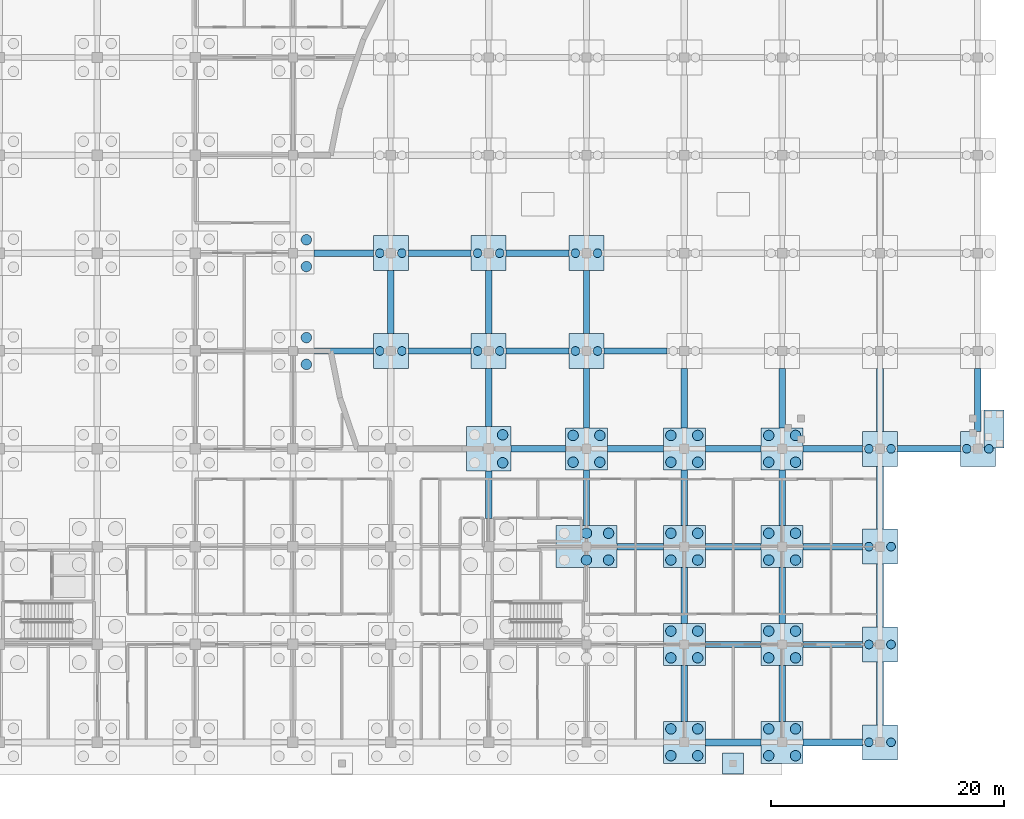
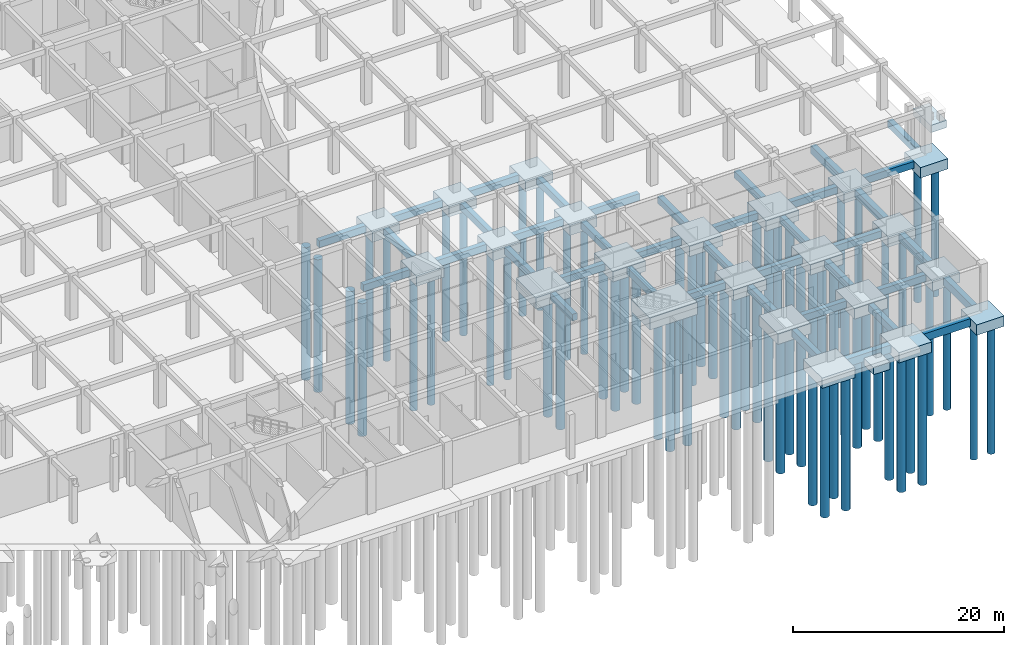
# One storey, part 13 of 65: 68 piles, 63 footings.
"""IFC4 building model written with IfcOpenShell, lengths in metres."""

from ifc_helpers import new_model, si_unit, direction, frame, origin, origin_2d, place, context, subcontext, project, spatial, rectangle, circle, extrude, material, material_profile, profile_set, type_object, element, save


model = new_model("IFC4")

# Units and contexts
model_context = context("Model", 3, precision=1e-05, world=origin(), true_north=direction((0.0, 1.0)))
body_context = subcontext(model_context, "Body", "Model", "MODEL_VIEW")
ifc_project = project(units=[si_unit("LENGTHUNIT", "METRE"), si_unit("AREAUNIT", "SQUARE_METRE"), si_unit("VOLUMEUNIT", "CUBIC_METRE"), si_unit("PLANEANGLEUNIT", "RADIAN"), si_unit("MASSUNIT", "GRAM", prefix="KILO")], contexts=[model_context])

# Site, building, storey
site_placement = place(None, origin())
site = spatial("IfcSite", under=ifc_project, at=site_placement, CompositionType="ELEMENT")
building_placement = place(site_placement, origin())
building = spatial("IfcBuilding", under=site, at=building_placement, Name="Bramfleet General Hospital", CompositionType="ELEMENT")
storey_placement = place(building_placement, frame((0.0, 0.0, -5.39990234375)))
storey = spatial("IfcBuildingStorey", under=building, at=storey_placement, Name="B1", CompositionType="ELEMENT", Elevation=-5.39990234375)

# Footings
ifc_material = material(Name="Concrete C35/45", Category="concrete")
ifc_material_profile_1 = material_profile(ifc_material, rectangle(XDim=0.550048828125, YDim=0.800048828125, at=origin_2d()), Name="RC FB 800x550")
ifc_profile_set_1 = profile_set([ifc_material_profile_1], Name="Concrete C35/45")
footing_type_1 = type_object("IfcFootingType", Name="FTG-FB-01", PredefinedType="FOOTING_BEAM", material=ifc_profile_set_1)
for number, where, z_axis, x_axis, name in (
    (1, (127.800048828125, 33.60009765625, -0.900146484375), (1.0, 0.0, 0.0), (0.0, 1.0, 0.0), "Foundation Tie Beam X 15-04"),
    (2, (127.800048828125, 42.0, -0.900146484375), (1.0, 0.0, 0.0), (0.0, 1.0, 0.0), "Foundation Tie Beam X 15-05"),
):
    element("IfcFooting", number, at=place(storey_placement, frame(where, z_axis=z_axis, x_axis=x_axis)), inside=storey, type_object=footing_type_1, Name=name, PredefinedType="FOOTING_BEAM", context=body_context, shape_type="SweptSolid", body=[
        extrude(rectangle(XDim=0.550048828125, YDim=0.800048828125, at=origin_2d()), origin(), (0.0, 0.0, 1.0), 5.099853515625),
    ])
footing_1_placement = place(storey_placement, frame((135.89990234375, 33.60009765625, -0.900146484375), z_axis=(1.0, 0.0, 0.0), x_axis=(0.0, 1.0, 0.0)))
element("IfcFooting", 3, at=footing_1_placement, inside=storey, type_object=footing_type_1, Name="Foundation Tie Beam X 16-04", PredefinedType="FOOTING_BEAM", context=body_context, shape_type="SweptSolid", body=[
    extrude(rectangle(XDim=0.550048828125, YDim=0.800048828125, at=origin_2d()), origin(), (0.0, 0.0, 1.0), 5.400146484375),
])
footing_2_placement = place(storey_placement, frame((134.39990234375, 35.10009765625, -0.900146484375), z_axis=(0.0, 1.0, 0.0), x_axis=(-1.0, 0.0, 0.0)))
element("IfcFooting", 4, at=footing_2_placement, inside=storey, type_object=footing_type_1, Name="Foundation Tie Beam Y 16-04", PredefinedType="FOOTING_BEAM", context=body_context, shape_type="SweptSolid", body=[
    extrude(rectangle(XDim=0.550048828125, YDim=0.800048828125, at=origin_2d()), origin(), (0.0, 0.0, 1.0), 5.39990234375),
])
footing_3_placement = place(storey_placement, frame((135.89990234375, 42.0, -0.900146484375), z_axis=(1.0, 0.0, 0.0), x_axis=(0.0, 1.0, 0.0)))
element("IfcFooting", 5, at=footing_3_placement, inside=storey, type_object=footing_type_1, Name="Foundation Tie Beam X 16-05", PredefinedType="FOOTING_BEAM", context=body_context, shape_type="SweptSolid", body=[
    extrude(rectangle(XDim=0.550048828125, YDim=0.800048828125, at=origin_2d()), origin(), (0.0, 0.0, 1.0), 5.400146484375),
])
footing_4_placement = place(storey_placement, frame((142.800048828125, 19.199951171875, -0.900146484375), z_axis=(0.0, 1.0, 0.0), x_axis=(-1.0, 0.0, 0.0)))
element("IfcFooting", 6, at=footing_4_placement, inside=storey, type_object=footing_type_1, Name="Foundation Tie Beam Y 17-02", PredefinedType="FOOTING_BEAM", context=body_context, shape_type="SweptSolid", body=[
    extrude(rectangle(XDim=0.550048828125, YDim=0.800048828125, at=origin_2d()), origin(), (0.0, 0.0, 1.0), 4.10009765625),
])
footing_5_placement = place(storey_placement, frame((144.699951171875, 25.199951171875, -0.900146484375), z_axis=(1.0, 0.0, 0.0), x_axis=(0.0, 1.0, 0.0)))
element("IfcFooting", 7, at=footing_5_placement, inside=storey, type_object=footing_type_1, Name="Foundation Tie Beam X 17-03", PredefinedType="FOOTING_BEAM", context=body_context, shape_type="SweptSolid", body=[
    extrude(rectangle(XDim=0.550048828125, YDim=0.800048828125, at=origin_2d()), origin(), (0.0, 0.0, 1.0), 4.699951171875),
])
footing_6_placement = place(storey_placement, frame((142.800048828125, 27.10009765625, -0.900146484375), z_axis=(0.0, 1.0, 0.0), x_axis=(-1.0, 0.0, 0.0)))
element("IfcFooting", 8, at=footing_6_placement, inside=storey, type_object=footing_type_1, Name="Foundation Tie Beam Y 17-03", PredefinedType="FOOTING_BEAM", context=body_context, shape_type="SweptSolid", body=[
    extrude(rectangle(XDim=0.550048828125, YDim=0.800048828125, at=origin_2d()), origin(), (0.0, 0.0, 1.0), 5.0),
])
for number, where, z_axis, x_axis, name in (
    (9, (144.300048828125, 33.60009765625, -0.900146484375), (1.0, 0.0, 0.0), (0.0, 1.0, 0.0), "Foundation Tie Beam X 17-04"),
    (10, (142.800048828125, 35.10009765625, -0.900146484375), (0.0, 1.0, 0.0), (-1.0, 0.0, 0.0), "Foundation Tie Beam Y 17-04"),
    (11, (144.300048828125, 42.0, -0.900146484375), (1.0, 0.0, 0.0), (0.0, 1.0, 0.0), "Foundation Tie Beam X 17-05"),
):
    element("IfcFooting", number, at=place(storey_placement, frame(where, z_axis=z_axis, x_axis=x_axis)), inside=storey, type_object=footing_type_1, Name=name, PredefinedType="FOOTING_BEAM", context=body_context, shape_type="SweptSolid", body=[
        extrude(rectangle(XDim=0.550048828125, YDim=0.800048828125, at=origin_2d()), origin(), (0.0, 0.0, 1.0), 5.39990234375),
    ])
footing_7_placement = place(storey_placement, frame((153.800048828125, 16.800048828125, -0.900146484375), z_axis=(1.0, 0.0, 0.0), x_axis=(0.0, 1.0, 0.0)))
element("IfcFooting", 12, at=footing_7_placement, inside=storey, type_object=footing_type_1, Name="Foundation Tie Beam X 18-02", PredefinedType="FOOTING_BEAM", context=body_context, shape_type="SweptSolid", body=[
    extrude(rectangle(XDim=0.550048828125, YDim=0.800048828125, at=origin_2d()), origin(), (0.0, 0.0, 1.0), 4.0),
])
footing_8_placement = place(storey_placement, frame((151.199951171875, 18.60009765625, -0.900146484375), z_axis=(0.0, 1.0, 0.0), x_axis=(-1.0, 0.0, 0.0)))
element("IfcFooting", 13, at=footing_8_placement, inside=storey, type_object=footing_type_1, Name="Foundation Tie Beam Y 18-02", PredefinedType="FOOTING_BEAM", context=body_context, shape_type="SweptSolid", body=[
    extrude(rectangle(XDim=0.550048828125, YDim=0.800048828125, at=origin_2d()), origin(), (0.0, 0.0, 1.0), 4.7998046875),
])
footing_9_placement = place(storey_placement, frame((153.0, 25.199951171875, -0.900146484375), z_axis=(1.0, 0.0, 0.0), x_axis=(0.0, 1.0, 0.0)))
element("IfcFooting", 14, at=footing_9_placement, inside=storey, type_object=footing_type_1, Name="Foundation Tie Beam X 18-03", PredefinedType="FOOTING_BEAM", context=body_context, shape_type="SweptSolid", body=[
    extrude(rectangle(XDim=0.550048828125, YDim=0.800048828125, at=origin_2d()), origin(), (0.0, 0.0, 1.0), 4.800048828125),
])
footing_10_placement = place(storey_placement, frame((151.199951171875, 27.0, -0.900146484375), z_axis=(0.0, 1.0, 0.0), x_axis=(-1.0, 0.0, 0.0)))
element("IfcFooting", 15, at=footing_10_placement, inside=storey, type_object=footing_type_1, Name="Foundation Tie Beam Y 18-03", PredefinedType="FOOTING_BEAM", context=body_context, shape_type="SweptSolid", body=[
    extrude(rectangle(XDim=0.550048828125, YDim=0.800048828125, at=origin_2d()), origin(), (0.0, 0.0, 1.0), 5.10009765625),
])
footing_11_placement = place(storey_placement, frame((152.699951171875, 33.60009765625, -0.900146484375), z_axis=(1.0, 0.0, 0.0), x_axis=(0.0, 1.0, 0.0)))
element("IfcFooting", 16, at=footing_11_placement, inside=storey, type_object=footing_type_1, Name="Foundation Tie Beam X 18-04", PredefinedType="FOOTING_BEAM", context=body_context, shape_type="SweptSolid", body=[
    extrude(rectangle(XDim=0.550048828125, YDim=0.800048828125, at=origin_2d()), origin(), (0.0, 0.0, 1.0), 5.400146484375),
])
footing_12_placement = place(storey_placement, frame((151.199951171875, 35.10009765625, -0.900146484375), z_axis=(0.0, 1.0, 0.0), x_axis=(-1.0, 0.0, 0.0)))
element("IfcFooting", 17, at=footing_12_placement, inside=storey, type_object=footing_type_1, Name="Foundation Tie Beam Y 18-04", PredefinedType="FOOTING_BEAM", context=body_context, shape_type="SweptSolid", body=[
    extrude(rectangle(XDim=0.550048828125, YDim=0.800048828125, at=origin_2d()), origin(), (0.0, 0.0, 1.0), 5.39990234375),
])
for number, where, z_axis, x_axis, name in (
    (18, (159.60009765625, 1.800048828125, -0.900146484375), (0.0, 1.0, 0.0), (-1.0, 0.0, 0.0), "Foundation Tie Beam Y 19-00"),
    (19, (161.39990234375, 8.39990234375, -0.900146484375), (1.0, 0.0, 0.0), (0.0, 1.0, 0.0), "Foundation Tie Beam X 19-01"),
    (20, (159.60009765625, 10.199951171875, -0.900146484375), (0.0, 1.0, 0.0), (-1.0, 0.0, 0.0), "Foundation Tie Beam Y 19-01"),
    (21, (161.39990234375, 16.800048828125, -0.900146484375), (1.0, 0.0, 0.0), (0.0, 1.0, 0.0), "Foundation Tie Beam X 19-02"),
):
    element("IfcFooting", number, at=place(storey_placement, frame(where, z_axis=z_axis, x_axis=x_axis)), inside=storey, type_object=footing_type_1, Name=name, PredefinedType="FOOTING_BEAM", context=body_context, shape_type="SweptSolid", body=[
        extrude(rectangle(XDim=0.550048828125, YDim=0.800048828125, at=origin_2d()), origin(), (0.0, 0.0, 1.0), 4.800048828125),
    ])
footing_13_placement = place(storey_placement, frame((159.60009765625, 18.60009765625, -0.900146484375), z_axis=(0.0, 1.0, 0.0), x_axis=(-1.0, 0.0, 0.0)))
element("IfcFooting", 22, at=footing_13_placement, inside=storey, type_object=footing_type_1, Name="Foundation Tie Beam Y 19-02", PredefinedType="FOOTING_BEAM", context=body_context, shape_type="SweptSolid", body=[
    extrude(rectangle(XDim=0.550048828125, YDim=0.800048828125, at=origin_2d()), origin(), (0.0, 0.0, 1.0), 4.7998046875),
])
footing_14_placement = place(storey_placement, frame((161.39990234375, 25.199951171875, -0.900146484375), z_axis=(1.0, 0.0, 0.0), x_axis=(0.0, 1.0, 0.0)))
element("IfcFooting", 23, at=footing_14_placement, inside=storey, type_object=footing_type_1, Name="Foundation Tie Beam X 19-03", PredefinedType="FOOTING_BEAM", context=body_context, shape_type="SweptSolid", body=[
    extrude(rectangle(XDim=0.550048828125, YDim=0.800048828125, at=origin_2d()), origin(), (0.0, 0.0, 1.0), 4.800048828125),
])
footing_15_placement = place(storey_placement, frame((159.60009765625, 27.0, -0.900146484375), z_axis=(0.0, 1.0, 0.0), x_axis=(-1.0, 0.0, 0.0)))
element("IfcFooting", 24, at=footing_15_placement, inside=storey, type_object=footing_type_1, Name="Foundation Tie Beam Y 19-03", PredefinedType="FOOTING_BEAM", context=body_context, shape_type="SweptSolid", body=[
    extrude(rectangle(XDim=0.550048828125, YDim=0.800048828125, at=origin_2d()), origin(), (0.0, 0.0, 1.0), 5.10009765625),
])
footing_16_placement = place(storey_placement, frame((168.0, 1.800048828125, -0.900146484375), z_axis=(0.0, 1.0, 0.0), x_axis=(-1.0, 0.0, 0.0)))
element("IfcFooting", 25, at=footing_16_placement, inside=storey, type_object=footing_type_1, Name="Foundation Tie Beam Y 20-00", PredefinedType="FOOTING_BEAM", context=body_context, shape_type="SweptSolid", body=[
    extrude(rectangle(XDim=0.550048828125, YDim=0.800048828125, at=origin_2d()), origin(), (0.0, 0.0, 1.0), 4.800048828125),
])
footing_17_placement = place(storey_placement, frame((169.800048828125, 8.39990234375, -0.900146484375), z_axis=(1.0, 0.0, 0.0), x_axis=(0.0, 1.0, 0.0)))
element("IfcFooting", 26, at=footing_17_placement, inside=storey, type_object=footing_type_1, Name="Foundation Tie Beam X 20-01", PredefinedType="FOOTING_BEAM", context=body_context, shape_type="SweptSolid", body=[
    extrude(rectangle(XDim=0.550048828125, YDim=0.800048828125, at=origin_2d()), origin(), (0.0, 0.0, 1.0), 5.099853515625),
])
footing_18_placement = place(storey_placement, frame((168.0, 10.199951171875, -0.900146484375), z_axis=(0.0, 1.0, 0.0), x_axis=(-1.0, 0.0, 0.0)))
element("IfcFooting", 27, at=footing_18_placement, inside=storey, type_object=footing_type_1, Name="Foundation Tie Beam Y 20-01", PredefinedType="FOOTING_BEAM", context=body_context, shape_type="SweptSolid", body=[
    extrude(rectangle(XDim=0.550048828125, YDim=0.800048828125, at=origin_2d()), origin(), (0.0, 0.0, 1.0), 4.800048828125),
])
footing_19_placement = place(storey_placement, frame((169.800048828125, 16.800048828125, -0.900146484375), z_axis=(1.0, 0.0, 0.0), x_axis=(0.0, 1.0, 0.0)))
element("IfcFooting", 28, at=footing_19_placement, inside=storey, type_object=footing_type_1, Name="Foundation Tie Beam X 20-02", PredefinedType="FOOTING_BEAM", context=body_context, shape_type="SweptSolid", body=[
    extrude(rectangle(XDim=0.550048828125, YDim=0.800048828125, at=origin_2d()), origin(), (0.0, 0.0, 1.0), 5.099853515625),
])
footing_20_placement = place(storey_placement, frame((168.0, 18.60009765625, -0.900146484375), z_axis=(0.0, 1.0, 0.0), x_axis=(-1.0, 0.0, 0.0)))
element("IfcFooting", 29, at=footing_20_placement, inside=storey, type_object=footing_type_1, Name="Foundation Tie Beam Y 20-02", PredefinedType="FOOTING_BEAM", context=body_context, shape_type="SweptSolid", body=[
    extrude(rectangle(XDim=0.550048828125, YDim=0.800048828125, at=origin_2d()), origin(), (0.0, 0.0, 1.0), 4.7998046875),
])
footing_21_placement = place(storey_placement, frame((169.800048828125, 25.199951171875, -0.900146484375), z_axis=(1.0, 0.0, 0.0), x_axis=(0.0, 1.0, 0.0)))
element("IfcFooting", 30, at=footing_21_placement, inside=storey, type_object=footing_type_1, Name="Foundation Tie Beam X 20-03", PredefinedType="FOOTING_BEAM", context=body_context, shape_type="SweptSolid", body=[
    extrude(rectangle(XDim=0.550048828125, YDim=0.800048828125, at=origin_2d()), origin(), (0.0, 0.0, 1.0), 5.099853515625),
])
footing_22_placement = place(storey_placement, frame((168.0, 27.0, -0.900146484375), z_axis=(0.0, 1.0, 0.0), x_axis=(-1.0, 0.0, 0.0)))
element("IfcFooting", 31, at=footing_22_placement, inside=storey, type_object=footing_type_1, Name="Foundation Tie Beam Y 20-03", PredefinedType="FOOTING_BEAM", context=body_context, shape_type="SweptSolid", body=[
    extrude(rectangle(XDim=0.550048828125, YDim=0.800048828125, at=origin_2d()), origin(), (0.0, 0.0, 1.0), 5.10009765625),
])
for number, where, z_axis, x_axis, name in (
    (32, (177.89990234375, 25.199951171875, -0.900146484375), (1.0, 0.0, 0.0), (0.0, 1.0, 0.0), "Foundation Tie Beam X 21-03"),
    (33, (184.800048828125, 26.699951171875, -0.900146484375), (0.0, 1.0, 0.0), (-1.0, 0.0, 0.0), "Foundation Tie Beam Y 22-03"),
):
    element("IfcFooting", number, at=place(storey_placement, frame(where, z_axis=z_axis, x_axis=x_axis)), inside=storey, type_object=footing_type_1, Name=name, PredefinedType="FOOTING_BEAM", context=body_context, shape_type="SweptSolid", body=[
        extrude(rectangle(XDim=0.550048828125, YDim=0.800048828125, at=origin_2d()), origin(), (0.0, 0.0, 1.0), 5.400146484375),
    ])
ifc_material_profile_2 = material_profile(ifc_material, rectangle(XDim=0.60009765625, YDim=0.89990234375, at=origin_2d()), Name="RC FB 900x600")
ifc_profile_set_2 = profile_set([ifc_material_profile_2], Name="Concrete C35/45")
footing_type_2 = type_object("IfcFootingType", Name="FTG-FB-02", PredefinedType="FOOTING_BEAM", material=ifc_profile_set_2)
footing_23_placement = place(storey_placement, frame((161.39990234375, 0.0, -0.9501953125), z_axis=(1.0, 0.0, 0.0), x_axis=(0.0, 1.0, 0.0)))
element("IfcFooting", 34, at=footing_23_placement, inside=storey, type_object=footing_type_2, Name="Foundation Tie Beam X 19-00", PredefinedType="FOOTING_BEAM", context=body_context, shape_type="SweptSolid", body=[
    extrude(rectangle(XDim=0.60009765625, YDim=0.89990234375, at=origin_2d()), origin(), (0.0, 0.0, 1.0), 4.800048828125),
])
footing_24_placement = place(storey_placement, frame((169.800048828125, 0.0, -0.9501953125), z_axis=(1.0, 0.0, 0.0), x_axis=(0.0, 1.0, 0.0)))
element("IfcFooting", 35, at=footing_24_placement, inside=storey, type_object=footing_type_2, Name="Foundation Tie Beam X 20-00", PredefinedType="FOOTING_BEAM", context=body_context, shape_type="SweptSolid", body=[
    extrude(rectangle(XDim=0.60009765625, YDim=0.89990234375, at=origin_2d()), origin(), (0.0, 0.0, 1.0), 5.099853515625),
])
footing_25_placement = place(storey_placement, frame((176.39990234375, 1.5, -0.9501953125), z_axis=(0.0, 1.0, 0.0), x_axis=(-1.0, 0.0, 0.0)))
element("IfcFooting", 36, at=footing_25_placement, inside=storey, type_object=footing_type_2, Name="Foundation Tie Beam Y 21-00", PredefinedType="FOOTING_BEAM", context=body_context, shape_type="SweptSolid", body=[
    extrude(rectangle(XDim=0.60009765625, YDim=0.89990234375, at=origin_2d()), origin(), (0.0, 0.0, 1.0), 5.39990234375),
])
footing_26_placement = place(storey_placement, frame((176.39990234375, 9.89990234375, -0.9501953125), z_axis=(0.0, 1.0, 0.0), x_axis=(-1.0, 0.0, 0.0)))
element("IfcFooting", 37, at=footing_26_placement, inside=storey, type_object=footing_type_2, Name="Foundation Tie Beam Y 21-01", PredefinedType="FOOTING_BEAM", context=body_context, shape_type="SweptSolid", body=[
    extrude(rectangle(XDim=0.60009765625, YDim=0.89990234375, at=origin_2d()), origin(), (0.0, 0.0, 1.0), 5.400146484375),
])
footing_27_placement = place(storey_placement, frame((176.39990234375, 18.300048828125, -0.9501953125), z_axis=(0.0, 1.0, 0.0), x_axis=(-1.0, 0.0, 0.0)))
element("IfcFooting", 38, at=footing_27_placement, inside=storey, type_object=footing_type_2, Name="Foundation Tie Beam Y 21-02", PredefinedType="FOOTING_BEAM", context=body_context, shape_type="SweptSolid", body=[
    extrude(rectangle(XDim=0.60009765625, YDim=0.89990234375, at=origin_2d()), origin(), (0.0, 0.0, 1.0), 5.39990234375),
])
footing_28_placement = place(storey_placement, frame((176.39990234375, 26.699951171875, -0.9501953125), z_axis=(0.0, 1.0, 0.0), x_axis=(-1.0, 0.0, 0.0)))
element("IfcFooting", 39, at=footing_28_placement, inside=storey, type_object=footing_type_2, Name="Foundation Tie Beam Y 21-03", PredefinedType="FOOTING_BEAM", context=body_context, shape_type="SweptSolid", body=[
    extrude(rectangle(XDim=0.60009765625, YDim=0.89990234375, at=origin_2d()), origin(), (0.0, 0.0, 1.0), 5.400146484375),
])
footing_type_3 = type_object("IfcFootingType", Name="FTG-PC-01", PredefinedType="PILE_CAP", material=ifc_material)
for number, where, z_axis, x_axis, name in (
    (40, (134.39990234375, 33.60009765625, -1.7001953125), (0.0, 0.0, 1.0), (1.0, 0.0, 0.0), "Pile Cap FTG-B1-16-04"),
    (41, (134.39990234375, 42.0, -1.7001953125), (0.0, 0.0, 1.0), (1.0, 0.0, 0.0), "Pile Cap FTG-B1-16-05"),
    (42, (142.800048828125, 33.60009765625, -1.7001953125), (0.0, 0.0, 1.0), (1.0, 0.0, 0.0), "Pile Cap FTG-B1-17-04"),
    (43, (142.800048828125, 42.0, -1.7001953125), (0.0, 0.0, 1.0), (1.0, 0.0, 0.0), "Pile Cap FTG-B1-17-05"),
    (44, (151.199951171875, 33.60009765625, -1.7001953125), (0.0, 0.0, 1.0), (1.0, 0.0, 0.0), "Pile Cap FTG-B1-18-04"),
    (45, (151.199951171875, 42.0, -1.7001953125), (0.0, 0.0, 1.0), (1.0, 0.0, 0.0), "Pile Cap FTG-B1-18-05"),
    (46, (176.39990234375, 0.0, -1.7001953125), (0.0, 0.0, 1.0), (1.0, 0.0, 0.0), "Pile Cap FTG-B1-21-00"),
    (47, (176.39990234375, 8.39990234375, -1.7001953125), (0.0, 0.0, 1.0), (1.0, 0.0, 0.0), "Pile Cap FTG-B1-21-01"),
    (48, (176.39990234375, 16.800048828125, -1.7001953125), (0.0, 0.0, 1.0), (1.0, 0.0, 0.0), "Pile Cap FTG-B1-21-02"),
    (49, (176.39990234375, 25.199951171875, -1.7001953125), (0.0, 0.0, 1.0), (1.0, 0.0, 0.0), "Pile Cap FTG-B1-21-03"),
    (50, (184.800048828125, 25.199951171875, -1.7001953125), (0.0, 0.0, 1.0), (1.0, 0.0, 0.0), "Pile Cap FTG-B1-22-03"),
):
    element("IfcFooting", number, at=place(storey_placement, frame(where, z_axis=z_axis, x_axis=x_axis)), inside=storey, type_object=footing_type_3, Name=name, PredefinedType="PILE_CAP", context=body_context, shape_type="SweptSolid", body=[
        extrude(rectangle(XDim=3.0, YDim=3.0, at=origin_2d()), origin(), (0.0, 0.0, 1.0), 1.199951171875),
    ])
footing_type_4 = type_object("IfcFootingType", Name="FTG-PC-03", PredefinedType="PILE_CAP", material=ifc_material)
for number, where, z_axis, x_axis, name in (
    (51, (151.199951171875, 25.199951171875, -1.7001953125), (0.0, 0.0, 1.0), (1.0, 0.0, 0.0), "Pile Cap FTG-B1-18-03"),
    (52, (159.60009765625, 0.0, -1.7001953125), (0.0, 0.0, 1.0), (1.0, 0.0, 0.0), "Pile Cap FTG-B1-19-00"),
    (53, (159.60009765625, 8.39990234375, -1.7001953125), (0.0, 0.0, 1.0), (1.0, 0.0, 0.0), "Pile Cap FTG-B1-19-01"),
    (54, (159.60009765625, 16.800048828125, -1.7001953125), (0.0, 0.0, 1.0), (1.0, 0.0, 0.0), "Pile Cap FTG-B1-19-02"),
    (55, (159.60009765625, 25.199951171875, -1.7001953125), (0.0, 0.0, 1.0), (1.0, 0.0, 0.0), "Pile Cap FTG-B1-19-03"),
    (56, (168.0, 0.0, -1.7001953125), (0.0, 0.0, 1.0), (1.0, 0.0, 0.0), "Pile Cap FTG-B1-20-00"),
    (57, (168.0, 8.39990234375, -1.7001953125), (0.0, 0.0, 1.0), (1.0, 0.0, 0.0), "Pile Cap FTG-B1-20-01"),
    (58, (168.0, 16.800048828125, -1.7001953125), (0.0, 0.0, 1.0), (1.0, 0.0, 0.0), "Pile Cap FTG-B1-20-02"),
    (59, (168.0, 25.199951171875, -1.7001953125), (0.0, 0.0, 1.0), (1.0, 0.0, 0.0), "Pile Cap FTG-B1-20-03"),
):
    element("IfcFooting", number, at=place(storey_placement, frame(where, z_axis=z_axis, x_axis=x_axis)), inside=storey, type_object=footing_type_4, Name=name, PredefinedType="PILE_CAP", context=body_context, shape_type="SweptSolid", body=[
        extrude(rectangle(XDim=3.60009765625, YDim=3.60009765625, at=origin_2d()), origin(), (0.0, 0.0, 1.0), 1.199951171875),
    ])
footing_type_5 = type_object("IfcFootingType", Name="FTG-PC-04", PredefinedType="PILE_CAP", material=ifc_material)
footing_29_placement = place(storey_placement, frame((142.800048828125, 25.199951171875, -1.80029296875), z_axis=(0.0, 0.0, 1.0), x_axis=(1.0, 0.0, 0.0)))
element("IfcFooting", 60, at=footing_29_placement, inside=storey, type_object=footing_type_5, Name="Pile Cap FTG-B1-17-03", PredefinedType="PILE_CAP", context=body_context, shape_type="SweptSolid", body=[
    extrude(rectangle(XDim=3.800048828125, YDim=3.800048828125, at=origin_2d()), origin(), (0.0, 0.0, 1.0), 1.300048828125),
])
footing_type_6 = type_object("IfcFootingType", Name="FTG-PC-06", PredefinedType="PILE_CAP", material=ifc_material)
footing_30_placement = place(storey_placement, frame((151.199951171875, 16.800048828125, -1.900146484375), z_axis=(0.0, 0.0, 1.0), x_axis=(1.0, 0.0, 0.0)))
element("IfcFooting", 61, at=footing_30_placement, inside=storey, type_object=footing_type_6, Name="Pile Cap FTG-B1-18-02", PredefinedType="PILE_CAP", context=body_context, shape_type="SweptSolid", body=[
    extrude(rectangle(XDim=5.199951171875, YDim=3.60009765625, at=origin_2d()), origin(), (0.0, 0.0, 1.0), 1.39990234375),
])
footing_type_7 = type_object("IfcFootingType", Name="FTG-PF-01", PredefinedType="PAD_FOOTING", material=ifc_material)
footing_31_placement = place(storey_placement, frame((163.800048828125, -1.800048828125, -1.35009765625), z_axis=(0.0, 0.0, 1.0), x_axis=(1.0, 0.0, 0.0)))
element("IfcFooting", 62, at=footing_31_placement, inside=storey, type_object=footing_type_7, Name="South Plinth Pad Footing 5", PredefinedType="PAD_FOOTING", context=body_context, shape_type="SweptSolid", body=[
    extrude(rectangle(XDim=1.800048828125, YDim=1.800048828125, at=origin_2d()), origin(), (0.0, 0.0, 1.0), 0.85009765625),
])
footing_32_placement = place(storey_placement, frame((186.18505859375, 26.89990234375, 1.89990234375), z_axis=(0.0, 0.0, 1.0), x_axis=(1.0, 0.0, 0.0)))
element("IfcFooting", 63, at=footing_32_placement, inside=storey, type_object=footing_type_7, Name="Combined Threshold Pad Footing 5", PredefinedType="PAD_FOOTING", context=body_context, shape_type="SweptSolid", body=[
    extrude(rectangle(XDim=1.72998046875, YDim=3.300048828125, at=origin_2d()), origin(), (0.0, 0.0, 1.0), 0.85009765625),
])

# Piles
ifc_material_profile_3 = material_profile(ifc_material, circle(Radius=0.375, at=origin_2d()), Name="PILE BORED D750")
ifc_profile_set_3 = profile_set([ifc_material_profile_3], Name="Concrete C35/45")
pile_type_1 = type_object("IfcPileType", Name="PILE-D750", PredefinedType="BORED", material=ifc_profile_set_3)
for number, where, z_axis, x_axis, name in (
    (64, (133.449951171875, 33.60009765625, -1.60009765625), (0.0, 0.0, -1.0), (1.0, 0.0, 0.0), "Bored Pile PILE-B1-16-04-1"),
    (65, (135.35009765625, 33.60009765625, -1.60009765625), (0.0, 0.0, -1.0), (1.0, 0.0, 0.0), "Bored Pile PILE-B1-16-04-2"),
    (66, (133.449951171875, 42.0, -1.60009765625), (0.0, 0.0, -1.0), (1.0, 0.0, 0.0), "Bored Pile PILE-B1-16-05-1"),
    (67, (135.35009765625, 42.0, -1.60009765625), (0.0, 0.0, -1.0), (1.0, 0.0, 0.0), "Bored Pile PILE-B1-16-05-2"),
    (68, (141.85009765625, 33.60009765625, -1.60009765625), (0.0, 0.0, -1.0), (1.0, 0.0, 0.0), "Bored Pile PILE-B1-17-04-1"),
    (69, (143.75, 33.60009765625, -1.60009765625), (0.0, 0.0, -1.0), (1.0, 0.0, 0.0), "Bored Pile PILE-B1-17-04-2"),
    (70, (141.85009765625, 42.0, -1.60009765625), (0.0, 0.0, -1.0), (1.0, 0.0, 0.0), "Bored Pile PILE-B1-17-05-1"),
    (71, (143.75, 42.0, -1.60009765625), (0.0, 0.0, -1.0), (1.0, 0.0, 0.0), "Bored Pile PILE-B1-17-05-2"),
    (72, (150.25, 33.60009765625, -1.60009765625), (0.0, 0.0, -1.0), (1.0, 0.0, 0.0), "Bored Pile PILE-B1-18-04-1"),
    (73, (152.14990234375, 33.60009765625, -1.60009765625), (0.0, 0.0, -1.0), (1.0, 0.0, 0.0), "Bored Pile PILE-B1-18-04-2"),
    (74, (150.25, 42.0, -1.60009765625), (0.0, 0.0, -1.0), (1.0, 0.0, 0.0), "Bored Pile PILE-B1-18-05-1"),
    (75, (152.14990234375, 42.0, -1.60009765625), (0.0, 0.0, -1.0), (1.0, 0.0, 0.0), "Bored Pile PILE-B1-18-05-2"),
    (76, (175.449951171875, 0.0, -1.60009765625), (0.0, 0.0, -1.0), (1.0, 0.0, 0.0), "Bored Pile PILE-B1-21-00-1"),
    (77, (177.35009765625, 0.0, -1.60009765625), (0.0, 0.0, -1.0), (1.0, 0.0, 0.0), "Bored Pile PILE-B1-21-00-2"),
    (78, (175.449951171875, 8.39990234375, -1.60009765625), (0.0, 0.0, -1.0), (1.0, 0.0, 0.0), "Bored Pile PILE-B1-21-01-1"),
    (79, (177.35009765625, 8.39990234375, -1.60009765625), (0.0, 0.0, -1.0), (1.0, 0.0, 0.0), "Bored Pile PILE-B1-21-01-2"),
    (80, (175.449951171875, 16.800048828125, -1.60009765625), (0.0, 0.0, -1.0), (1.0, 0.0, 0.0), "Bored Pile PILE-B1-21-02-1"),
    (81, (177.35009765625, 16.800048828125, -1.60009765625), (0.0, 0.0, -1.0), (1.0, 0.0, 0.0), "Bored Pile PILE-B1-21-02-2"),
    (82, (175.449951171875, 25.199951171875, -1.60009765625), (0.0, 0.0, -1.0), (1.0, 0.0, 0.0), "Bored Pile PILE-B1-21-03-1"),
    (83, (177.35009765625, 25.199951171875, -1.60009765625), (0.0, 0.0, -1.0), (1.0, 0.0, 0.0), "Bored Pile PILE-B1-21-03-2"),
    (84, (183.85009765625, 25.199951171875, -1.60009765625), (0.0, 0.0, -1.0), (1.0, 0.0, 0.0), "Bored Pile PILE-B1-22-03-1"),
    (85, (185.75, 25.199951171875, -1.60009765625), (0.0, 0.0, -1.0), (1.0, 0.0, 0.0), "Bored Pile PILE-B1-22-03-2"),
):
    element("IfcPile", number, at=place(storey_placement, frame(where, z_axis=z_axis, x_axis=x_axis)), inside=storey, type_object=pile_type_1, Name=name, PredefinedType="BORED", context=body_context, shape_type="SweptSolid", body=[
        extrude(circle(Radius=0.375, at=origin_2d()), origin(), (0.0, 0.0, 1.0), 15.39990234375),
    ])
ifc_material_profile_4 = material_profile(ifc_material, circle(Radius=0.449951171875, at=origin_2d()), Name="PILE BORED D900")
ifc_profile_set_4 = profile_set([ifc_material_profile_4], Name="Concrete C35/45")
pile_type_2 = type_object("IfcPileType", Name="PILE-D900", PredefinedType="BORED", material=ifc_profile_set_4)
for number, where, z_axis, x_axis, name in (
    (86, (127.14990234375, 32.449951171875, -1.60009765625), (0.0, 0.0, -1.0), (1.0, 0.0, 0.0), "Bored Pile PILE-B1-15-04-2"),
    (87, (127.14990234375, 34.75, -1.60009765625), (0.0, 0.0, -1.0), (1.0, 0.0, 0.0), "Bored Pile PILE-B1-15-04-4"),
    (88, (127.14990234375, 40.85009765625, -1.60009765625), (0.0, 0.0, -1.0), (1.0, 0.0, 0.0), "Bored Pile PILE-B1-15-05-2"),
    (89, (127.14990234375, 43.14990234375, -1.60009765625), (0.0, 0.0, -1.0), (1.0, 0.0, 0.0), "Bored Pile PILE-B1-15-05-4"),
):
    element("IfcPile", number, at=place(storey_placement, frame(where, z_axis=z_axis, x_axis=x_axis)), inside=storey, type_object=pile_type_2, Name=name, PredefinedType="BORED", context=body_context, shape_type="SweptSolid", body=[
        extrude(circle(Radius=0.449951171875, at=origin_2d()), origin(), (0.0, 0.0, 1.0), 15.39990234375),
    ])
for number, where, z_axis, x_axis, name in (
    (90, (144.0, 24.0, -1.7001953125), (0.0, 0.0, -1.0), (1.0, 0.0, 0.0), "Bored Pile PILE-B1-17-03-2"),
    (91, (144.0, 26.39990234375, -1.7001953125), (0.0, 0.0, -1.0), (1.0, 0.0, 0.0), "Bored Pile PILE-B1-17-03-4"),
):
    element("IfcPile", number, at=place(storey_placement, frame(where, z_axis=z_axis, x_axis=x_axis)), inside=storey, type_object=pile_type_2, Name=name, PredefinedType="BORED", context=body_context, shape_type="SweptSolid", body=[
        extrude(circle(Radius=0.449951171875, at=origin_2d()), origin(), (0.0, 0.0, 1.0), 15.300048828125),
    ])
for number, where, z_axis, x_axis, name in (
    (92, (151.199951171875, 15.64990234375, -1.800048828125), (0.0, 0.0, -1.0), (1.0, 0.0, 0.0), "Bored Pile PILE-B1-18-02-2"),
    (93, (153.10009765625, 15.64990234375, -1.800048828125), (0.0, 0.0, -1.0), (1.0, 0.0, 0.0), "Bored Pile PILE-B1-18-02-3"),
    (94, (151.199951171875, 17.949951171875, -1.800048828125), (0.0, 0.0, -1.0), (1.0, 0.0, 0.0), "Bored Pile PILE-B1-18-02-5"),
    (95, (153.10009765625, 17.949951171875, -1.800048828125), (0.0, 0.0, -1.0), (1.0, 0.0, 0.0), "Bored Pile PILE-B1-18-02-6"),
):
    element("IfcPile", number, at=place(storey_placement, frame(where, z_axis=z_axis, x_axis=x_axis)), inside=storey, type_object=pile_type_2, Name=name, PredefinedType="BORED", context=body_context, shape_type="SweptSolid", body=[
        extrude(circle(Radius=0.449951171875, at=origin_2d()), origin(), (0.0, 0.0, 1.0), 15.199951171875),
    ])
for number, where, z_axis, x_axis, name in (
    (96, (150.050048828125, 24.050048828125, -1.60009765625), (0.0, 0.0, -1.0), (1.0, 0.0, 0.0), "Bored Pile PILE-B1-18-03-1"),
    (97, (152.35009765625, 24.050048828125, -1.60009765625), (0.0, 0.0, -1.0), (1.0, 0.0, 0.0), "Bored Pile PILE-B1-18-03-2"),
    (98, (150.050048828125, 26.35009765625, -1.60009765625), (0.0, 0.0, -1.0), (1.0, 0.0, 0.0), "Bored Pile PILE-B1-18-03-3"),
    (99, (152.35009765625, 26.35009765625, -1.60009765625), (0.0, 0.0, -1.0), (1.0, 0.0, 0.0), "Bored Pile PILE-B1-18-03-4"),
    (100, (158.449951171875, -1.14990234375, -1.60009765625), (0.0, 0.0, -1.0), (1.0, 0.0, 0.0), "Bored Pile PILE-B1-19-00-1"),
    (101, (160.75, -1.14990234375, -1.60009765625), (0.0, 0.0, -1.0), (1.0, 0.0, 0.0), "Bored Pile PILE-B1-19-00-2"),
    (102, (158.449951171875, 1.14990234375, -1.60009765625), (0.0, 0.0, -1.0), (1.0, 0.0, 0.0), "Bored Pile PILE-B1-19-00-3"),
    (103, (160.75, 1.14990234375, -1.60009765625), (0.0, 0.0, -1.0), (1.0, 0.0, 0.0), "Bored Pile PILE-B1-19-00-4"),
    (104, (158.449951171875, 7.25, -1.60009765625), (0.0, 0.0, -1.0), (1.0, 0.0, 0.0), "Bored Pile PILE-B1-19-01-1"),
    (105, (160.75, 7.25, -1.60009765625), (0.0, 0.0, -1.0), (1.0, 0.0, 0.0), "Bored Pile PILE-B1-19-01-2"),
    (106, (158.449951171875, 9.550048828125, -1.60009765625), (0.0, 0.0, -1.0), (1.0, 0.0, 0.0), "Bored Pile PILE-B1-19-01-3"),
    (107, (160.75, 9.550048828125, -1.60009765625), (0.0, 0.0, -1.0), (1.0, 0.0, 0.0), "Bored Pile PILE-B1-19-01-4"),
    (108, (158.449951171875, 15.64990234375, -1.60009765625), (0.0, 0.0, -1.0), (1.0, 0.0, 0.0), "Bored Pile PILE-B1-19-02-1"),
    (109, (160.75, 15.64990234375, -1.60009765625), (0.0, 0.0, -1.0), (1.0, 0.0, 0.0), "Bored Pile PILE-B1-19-02-2"),
    (110, (158.449951171875, 17.949951171875, -1.60009765625), (0.0, 0.0, -1.0), (1.0, 0.0, 0.0), "Bored Pile PILE-B1-19-02-3"),
    (111, (160.75, 17.949951171875, -1.60009765625), (0.0, 0.0, -1.0), (1.0, 0.0, 0.0), "Bored Pile PILE-B1-19-02-4"),
    (112, (158.449951171875, 24.050048828125, -1.60009765625), (0.0, 0.0, -1.0), (1.0, 0.0, 0.0), "Bored Pile PILE-B1-19-03-1"),
    (113, (160.75, 24.050048828125, -1.60009765625), (0.0, 0.0, -1.0), (1.0, 0.0, 0.0), "Bored Pile PILE-B1-19-03-2"),
    (114, (158.449951171875, 26.35009765625, -1.60009765625), (0.0, 0.0, -1.0), (1.0, 0.0, 0.0), "Bored Pile PILE-B1-19-03-3"),
    (115, (160.75, 26.35009765625, -1.60009765625), (0.0, 0.0, -1.0), (1.0, 0.0, 0.0), "Bored Pile PILE-B1-19-03-4"),
    (116, (166.85009765625, -1.14990234375, -1.60009765625), (0.0, 0.0, -1.0), (1.0, 0.0, 0.0), "Bored Pile PILE-B1-20-00-1"),
    (117, (169.14990234375, -1.14990234375, -1.60009765625), (0.0, 0.0, -1.0), (1.0, 0.0, 0.0), "Bored Pile PILE-B1-20-00-2"),
    (118, (166.85009765625, 1.14990234375, -1.60009765625), (0.0, 0.0, -1.0), (1.0, 0.0, 0.0), "Bored Pile PILE-B1-20-00-3"),
    (119, (169.14990234375, 1.14990234375, -1.60009765625), (0.0, 0.0, -1.0), (1.0, 0.0, 0.0), "Bored Pile PILE-B1-20-00-4"),
    (120, (166.85009765625, 7.25, -1.60009765625), (0.0, 0.0, -1.0), (1.0, 0.0, 0.0), "Bored Pile PILE-B1-20-01-1"),
    (121, (169.14990234375, 7.25, -1.60009765625), (0.0, 0.0, -1.0), (1.0, 0.0, 0.0), "Bored Pile PILE-B1-20-01-2"),
    (122, (166.85009765625, 9.550048828125, -1.60009765625), (0.0, 0.0, -1.0), (1.0, 0.0, 0.0), "Bored Pile PILE-B1-20-01-3"),
    (123, (169.14990234375, 9.550048828125, -1.60009765625), (0.0, 0.0, -1.0), (1.0, 0.0, 0.0), "Bored Pile PILE-B1-20-01-4"),
    (124, (166.85009765625, 15.64990234375, -1.60009765625), (0.0, 0.0, -1.0), (1.0, 0.0, 0.0), "Bored Pile PILE-B1-20-02-1"),
    (125, (169.14990234375, 15.64990234375, -1.60009765625), (0.0, 0.0, -1.0), (1.0, 0.0, 0.0), "Bored Pile PILE-B1-20-02-2"),
    (126, (166.85009765625, 17.949951171875, -1.60009765625), (0.0, 0.0, -1.0), (1.0, 0.0, 0.0), "Bored Pile PILE-B1-20-02-3"),
    (127, (169.14990234375, 17.949951171875, -1.60009765625), (0.0, 0.0, -1.0), (1.0, 0.0, 0.0), "Bored Pile PILE-B1-20-02-4"),
    (128, (166.85009765625, 24.050048828125, -1.60009765625), (0.0, 0.0, -1.0), (1.0, 0.0, 0.0), "Bored Pile PILE-B1-20-03-1"),
    (129, (169.14990234375, 24.050048828125, -1.60009765625), (0.0, 0.0, -1.0), (1.0, 0.0, 0.0), "Bored Pile PILE-B1-20-03-2"),
    (130, (166.85009765625, 26.35009765625, -1.60009765625), (0.0, 0.0, -1.0), (1.0, 0.0, 0.0), "Bored Pile PILE-B1-20-03-3"),
    (131, (169.14990234375, 26.35009765625, -1.60009765625), (0.0, 0.0, -1.0), (1.0, 0.0, 0.0), "Bored Pile PILE-B1-20-03-4"),
):
    element("IfcPile", number, at=place(storey_placement, frame(where, z_axis=z_axis, x_axis=x_axis)), inside=storey, type_object=pile_type_2, Name=name, PredefinedType="BORED", context=body_context, shape_type="SweptSolid", body=[
        extrude(circle(Radius=0.449951171875, at=origin_2d()), origin(), (0.0, 0.0, 1.0), 15.39990234375),
    ])

save(model, "model.ifc")
